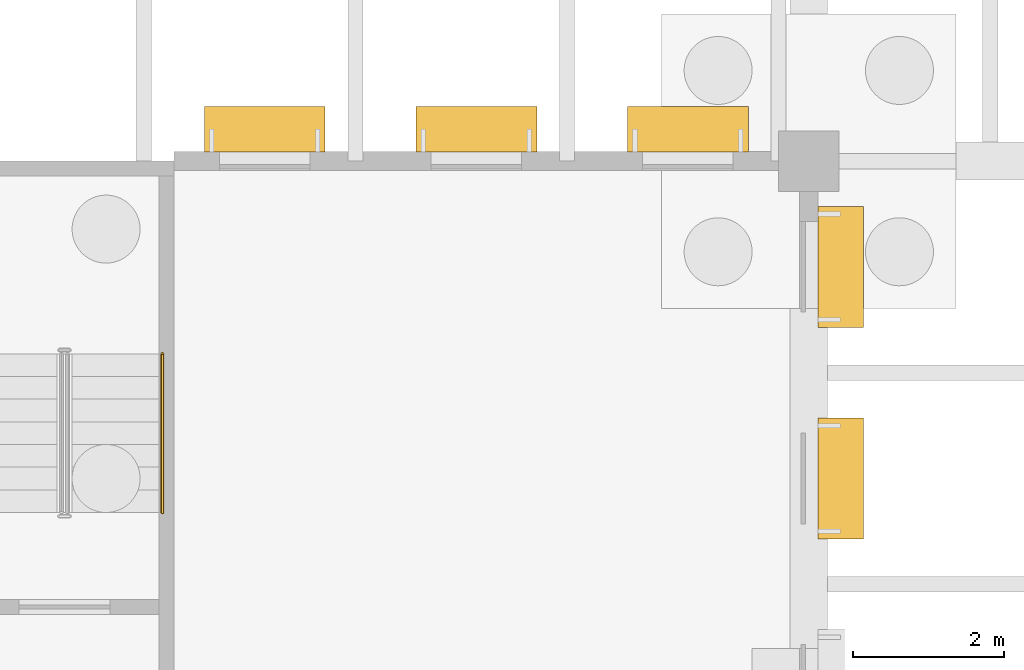
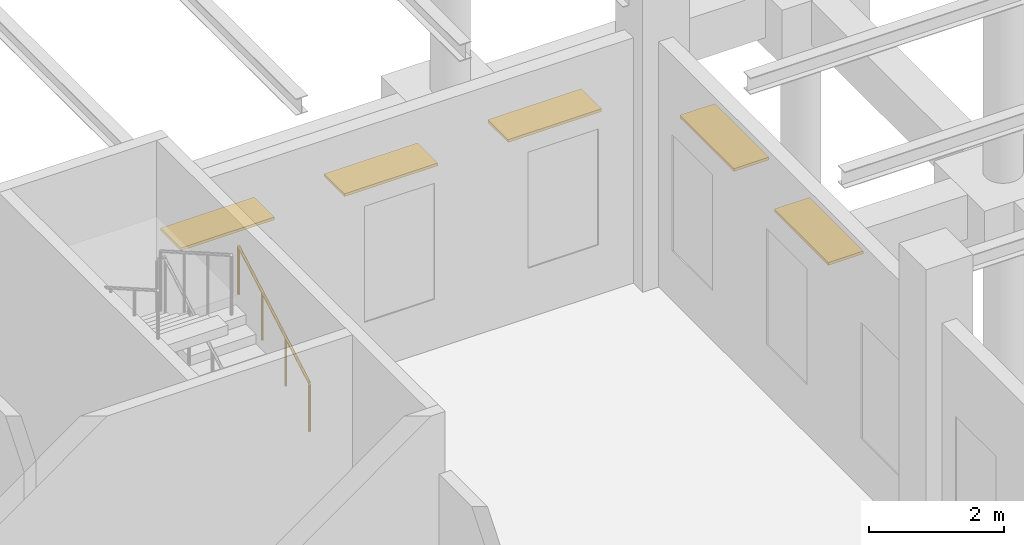
# One storey, part 81 of 82: 5 shading devices, 1 railing.
"""IFC4 building model written with IfcOpenShell, lengths in metres."""

from ifc_helpers import new_model, si_unit, direction, frame, origin, origin_2d, place, context, subcontext, project, spatial, rectangle, circle, extrude, material, material_profile, profile_set, type_object, element, save


model = new_model("IFC4")

# Units and contexts
model_context = context("Model", 3, precision=1e-05, world=origin(), true_north=direction((0.0, 1.0)))
body_context = subcontext(model_context, "Body", "Model", "MODEL_VIEW")
ifc_project = project(units=[si_unit("LENGTHUNIT", "METRE"), si_unit("AREAUNIT", "SQUARE_METRE"), si_unit("VOLUMEUNIT", "CUBIC_METRE"), si_unit("PLANEANGLEUNIT", "RADIAN"), si_unit("MASSUNIT", "GRAM", prefix="KILO")], contexts=[model_context])

# Site, building, storey
site_placement = place(None, origin())
site = spatial("IfcSite", under=ifc_project, at=site_placement, CompositionType="ELEMENT")
building_placement = place(site_placement, origin())
building = spatial("IfcBuilding", under=site, at=building_placement, Name="Almond Square Museum", CompositionType="ELEMENT")
storey_placement = place(building_placement, origin())
storey = spatial("IfcBuildingStorey", under=building, at=storey_placement, Name="L00", CompositionType="ELEMENT", Elevation=0.0)

# Railing
ifc_material_1 = material(Name="Stainless steel", Category="steel")
railing_type = type_object("IfcRailingType", Name="Stair handrail 900 steel", PredefinedType="HANDRAIL", material=ifc_material_1)
railing_placement = place(storey_placement, frame((148.64501953125, 104.550048828125, 2.921875)))
element("IfcRailing", 1, at=railing_placement, inside=storey, type_object=railing_type, Name="L00 ST-06 stair handrail 3", PredefinedType="HANDRAIL", context=body_context, shape_type="SweptSolid", body=[
    extrude(circle(Radius=0.02392578125, at=origin_2d()), frame((0.0, 0.0, 0.8759765625), z_axis=(0.0, 0.867671429157, 0.497138100556), x_axis=(-1.0, 0.0, 0.0)), (0.0, 0.0, 1.0), 2.420166015625),
    extrude(circle(Radius=0.02099609375, at=origin_2d()), origin(), (0.0, 0.0, 1.0), 0.851806640625),
    extrude(circle(Radius=0.02099609375, at=origin_2d()), frame((0.0, 0.699951171875, 0.401123046875)), (0.0, 0.0, 1.0), 0.851806640625),
    extrude(circle(Radius=0.02099609375, at=origin_2d()), frame((0.0, 1.39990234375, 0.802001953125)), (0.0, 0.0, 1.0), 0.851806640625),
    extrude(circle(Radius=0.02099609375, at=origin_2d()), frame((0.0, 2.099853515625, 1.203125)), (0.0, 0.0, 1.0), 0.851806640625),
])

# Shading devices
ifc_material_2 = material(Name="Anodised aluminium", Category="aluminium")
ifc_material_profile = material_profile(ifc_material_2, rectangle(XDim=0.60009765625, YDim=0.050048828125, at=origin_2d()))
ifc_profile_set = profile_set([ifc_material_profile], Name="Anodised aluminium")
shading_device_type = type_object("IfcShadingDeviceType", Name="Sun-shade blade 600 x 50", PredefinedType="USERDEFINED", material=ifc_profile_set)
for number, where, z_axis, x_axis, name in (
    (2, (157.623046875, 104.199951171875, 3.1201171875), (0.0, 1.0, 0.0), (-1.0, 0.0, 0.0), "Sun-shade blade"),
    (3, (157.623046875, 107.0, 3.1201171875), (0.0, 1.0, 0.0), (-1.0, 0.0, 0.0), "Sun-shade blade"),
    (4, (149.199951171875, 109.623046875, 3.1201171875), (1.0, 0.0, 0.0), (0.0, 1.0, 0.0), "Sun-shade blade"),
    (5, (152.0, 109.623046875, 3.1201171875), (1.0, 0.0, 0.0), (0.0, 1.0, 0.0), "Sun-shade blade"),
):
    element("IfcShadingDevice", number, at=place(storey_placement, frame(where, z_axis=z_axis, x_axis=x_axis)), inside=storey, type_object=shading_device_type, Name=name, ObjectType="LOUVRE", PredefinedType="USERDEFINED", context=body_context, shape_type="SweptSolid", body=[
        extrude(rectangle(XDim=0.60009765625, YDim=0.050048828125, at=origin_2d()), origin(), (0.0, 0.0, 1.0), 1.60009765625),
    ])
shading_device_placement = place(storey_placement, frame((154.800048828125, 109.623046875, 3.1201171875), z_axis=(1.0, 0.0, 0.0), x_axis=(0.0, 1.0, 0.0)))
element("IfcShadingDevice", 6, at=shading_device_placement, inside=storey, type_object=shading_device_type, Name="Sun-shade blade", ObjectType="LOUVRE", PredefinedType="USERDEFINED", context=body_context, shape_type="SweptSolid", body=[
    extrude(rectangle(XDim=0.60009765625, YDim=0.050048828125, at=origin_2d()), origin(), (0.0, 0.0, 1.0), 1.599853515625),
])

save(model, "model.ifc")
